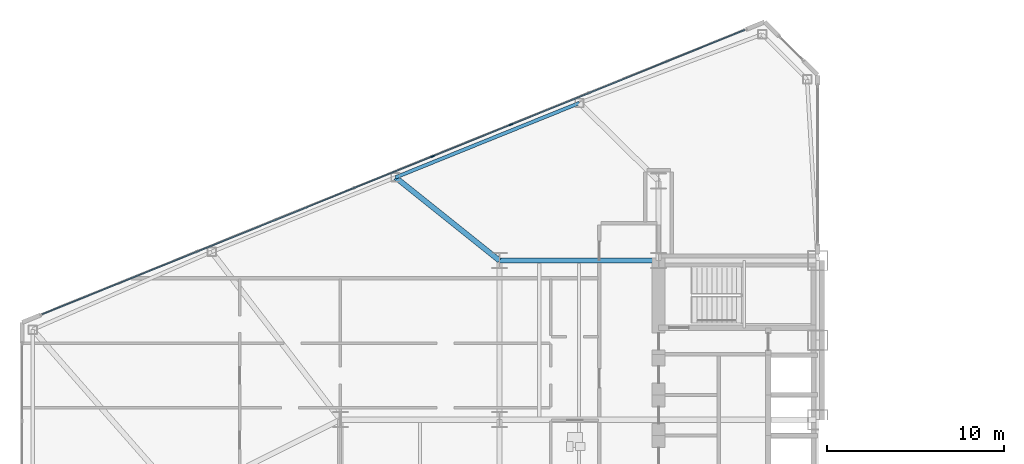
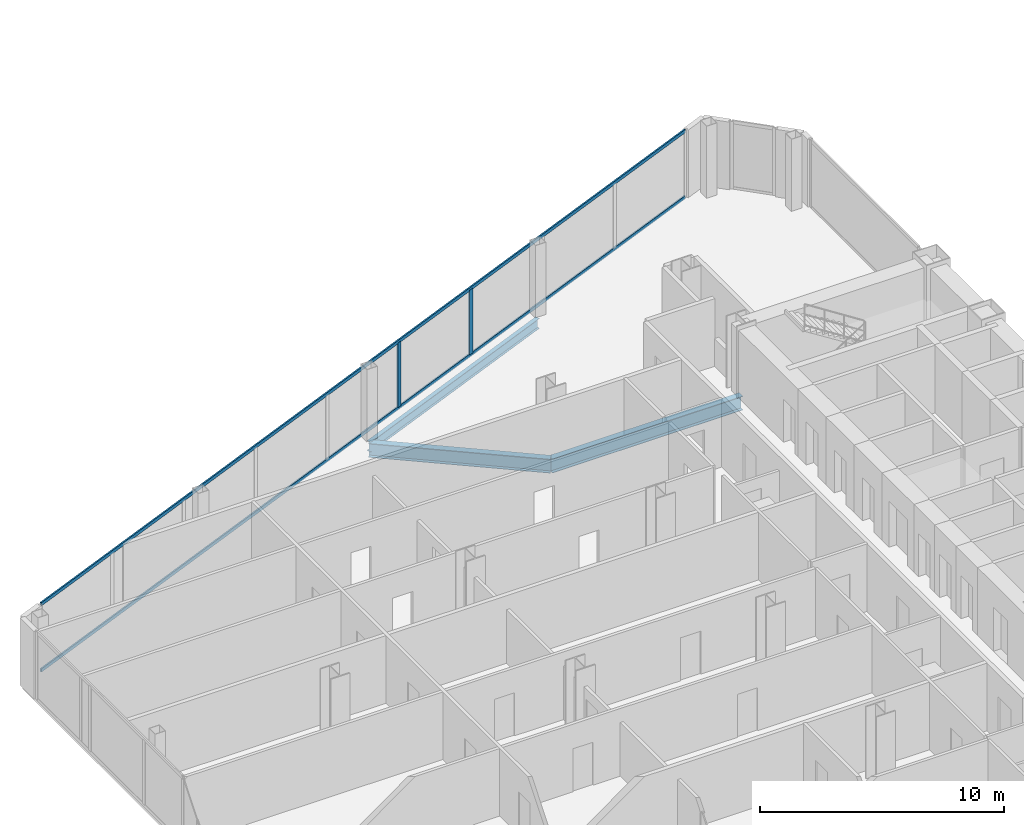
# One storey, part 7 of 25: 4 members, 3 beams, 1 element without a shape of its own.
"""IFC4 building model written with IfcOpenShell, lengths in metres."""

from ifc_helpers import new_model, si_unit, direction, frame, origin, origin_2d, place, context, subcontext, project, spatial, rectangle, i_section, extrude, source, transform, mapped, material, layer, layer_set, material_profile, profile_set, type_object, type_shapes, element, aggregate, save


model = new_model("IFC4")

# Units and contexts
model_context = context("Model", 3, precision=1e-05, world=origin(), true_north=direction((0.0, 1.0)))
body_context = subcontext(model_context, "Body", "Model", "MODEL_VIEW")
ifc_project = project(units=[si_unit("LENGTHUNIT", "METRE"), si_unit("AREAUNIT", "SQUARE_METRE"), si_unit("VOLUMEUNIT", "CUBIC_METRE"), si_unit("PLANEANGLEUNIT", "RADIAN"), si_unit("MASSUNIT", "GRAM", prefix="KILO")], contexts=[model_context])

# Site, building, storey
site_placement = place(None, origin())
site = spatial("IfcSite", under=ifc_project, at=site_placement, CompositionType="ELEMENT")
building_placement = place(site_placement, origin())
building = spatial("IfcBuilding", under=site, at=building_placement, Name="Seokmaru Belvedere", CompositionType="ELEMENT")
storey_placement = place(building_placement, frame((0.0, 0.0, 58.5)))
storey = spatial("IfcBuildingStorey", under=building, at=storey_placement, Name="L15", CompositionType="ELEMENT", Elevation=58.5)

# Beams
ifc_material_1 = material(Name="Steel SM355 (355 MPa)", Category="steel")
ifc_material_profile_1 = material_profile(ifc_material_1, i_section(OverallWidth=0.300048828125, OverallDepth=0.699951171875, WebThickness=0.012939453125, FlangeThickness=0.02392578125, at=origin_2d()), Name="H-700x300x13x24")
ifc_profile_set_1 = profile_set([ifc_material_profile_1], Name="Steel SM355 (355 MPa)")
beam_type_1 = type_object("IfcBeamType", Name="Primary Floor Girder H-700", PredefinedType="BEAM", material=ifc_profile_set_1)
shared_shape_1 = source(origin(), body_context, "Body", "SweptSolid", [
    extrude(i_section(OverallWidth=0.300048828125, OverallDepth=0.699951171875, WebThickness=0.012939453125, FlangeThickness=0.02392578125, at=origin_2d()), origin(), (0.0, 0.0, 1.0), 9.0),
])
beam_1_placement = place(storey_placement, frame((-45.5, 13.5, -0.570068359375), z_axis=(1.0, 0.0, 0.0), x_axis=(0.0, 1.0, 0.0)))
element("IfcBeam", 1, at=beam_1_placement, inside=storey, type_object=beam_type_1, Name="L15 W Wing Primary Girder 4", PredefinedType="BEAM", context=body_context, shape_type="MappedRepresentation", body=[
    mapped(shared_shape_1, transform((0.0, 0.0, 0.0), scale=1.0)),
])
ifc_material_profile_2 = material_profile(ifc_material_1, i_section(OverallWidth=0.199951171875, OverallDepth=0.5, WebThickness=0.010009765625, FlangeThickness=0.01611328125, at=origin_2d()), Name="H-500x200x10x16")
ifc_profile_set_2 = profile_set([ifc_material_profile_2], Name="Steel SM355 (355 MPa)")
beam_type_2 = type_object("IfcBeamType", Name="Perimeter Spandrel Beam H-500", PredefinedType="SPANDREL", material=ifc_profile_set_2)
shared_shape_2 = source(origin(), body_context, "Body", "SweptSolid", [
    extrude(i_section(OverallWidth=0.199951171875, OverallDepth=0.5, WebThickness=0.010009765625, FlangeThickness=0.01611328125, at=origin_2d()), origin(), (0.0, 0.0, 1.0), 11.220703125),
])
type_shapes(beam_type_2, [shared_shape_2])
beam_2_placement = place(storey_placement, frame((-40.977294921875, 22.4140625, -0.469970703125), z_axis=(-0.926944290816, -0.375198989503, 0.0), x_axis=(0.375198989503, -0.926944290816, 0.0)))
element("IfcBeam", 2, at=beam_2_placement, inside=storey, type_object=beam_type_2, Name="L15 W Faceted Flank Spandrel N-2", PredefinedType="SPANDREL", context=body_context, shape_type="MappedRepresentation", body=[
    mapped(shared_shape_2, transform((0.0, 0.0, 0.0), scale=1.0)),
])
shared_shape_3 = source(origin(), body_context, "Body", "SweptSolid", [
    extrude(i_section(OverallWidth=0.300048828125, OverallDepth=0.699951171875, WebThickness=0.012939453125, FlangeThickness=0.02392578125, at=origin_2d()), origin(), (0.0, 0.0, 1.0), 7.52880859375),
])
type_shapes(beam_type_1, [shared_shape_1, shared_shape_3])
beam_3_placement = place(storey_placement, frame((-51.378173828125, 18.2041015625, -0.570068359375), z_axis=(0.780767560736, -0.624821587418, 0.0), x_axis=(0.624821587418, 0.780767560736, 0.0)))
element("IfcBeam", 3, at=beam_3_placement, inside=storey, type_object=beam_type_1, Name="L15 W Flank Radial Floor Girder N-2", PredefinedType="BEAM", context=body_context, shape_type="MappedRepresentation", body=[
    mapped(shared_shape_3, transform((0.0, 0.0, 0.0), scale=1.0)),
])

# Curtain wall, members
ifc_material_2 = material(Name="Bronze Triple Insulating Glass", Category="glass")
ifc_layer = layer(ifc_material_2, 0.2099609375)
ifc_layer_set = layer_set([ifc_layer], Name="Bronze Triple Insulating Glass")
curtain_wall_type = type_object("IfcCurtainWallType", Name="Low-Rise Faceted Crystal Curtain Wall System CW-2", PredefinedType="NOTDEFINED", material=ifc_layer_set)
curtain_wall_placement = place(storey_placement, origin())
curtain_wall = element("IfcCurtainWall", 4, at=curtain_wall_placement, inside=storey, type_object=curtain_wall_type, Name="L15 Curtain Wall WF3", PredefinedType="NOTDEFINED")
ifc_material_3 = material(Name="Anodised Bronze Aluminium", Category="aluminium")
ifc_material_profile_3 = material_profile(ifc_material_3, rectangle(XDim=0.074951171875, YDim=0.2099609375, at=origin_2d()), Name="CW-M-75x210")
ifc_profile_set_3 = profile_set([ifc_material_profile_3], Name="Anodised Bronze Aluminium")
member_type_1 = type_object("IfcMemberType", Name="Bronze Unitised Mullion 75x210", PredefinedType="MULLION", material=ifc_profile_set_3)
shared_shape_4 = source(origin(), body_context, "Body", "SweptSolid", [
    extrude(rectangle(XDim=0.074951171875, YDim=0.2099609375, at=origin_2d()), origin(), (0.0, 0.0, 1.0), 3.239990234375),
])
type_shapes(member_type_1, [shared_shape_4])
member_1_placement = place(storey_placement, frame((-44.855224609375, 21.189453125, 0.070068359375), z_axis=(0.0, 0.0, 1.0), x_axis=(0.375192321888, -0.926946989637, 0.0)))
member_1 = element("IfcMember", 5, at=member_1_placement, type_object=member_type_1, Name="CW:L15:WF3 Mullion 4", PredefinedType="MULLION", context=body_context, shape_type="MappedRepresentation", body=[
    mapped(shared_shape_4, transform((0.0, 0.0, 0.0), scale=1.0)),
])
member_2_placement = place(storey_placement, frame((-49.28515625, 19.396484375, 0.070068359375), z_axis=(0.0, 0.0, 1.0), x_axis=(0.375192321888, -0.926946989637, 0.0)))
member_2 = element("IfcMember", 6, at=member_2_placement, type_object=member_type_1, Name="CW:L15:WF3 Mullion 5", PredefinedType="MULLION", context=body_context, shape_type="MappedRepresentation", body=[
    mapped(shared_shape_4, transform((0.0, 0.0, 0.0), scale=1.0)),
])
ifc_material_profile_4 = material_profile(ifc_material_3, rectangle(XDim=0.070068359375, YDim=0.1650390625, at=origin_2d()), Name="CW-T-70x165")
ifc_profile_set_4 = profile_set([ifc_material_profile_4], Name="Anodised Bronze Aluminium")
member_type_2 = type_object("IfcMemberType", Name="Bronze Unitised Transom 70x165", PredefinedType="USERDEFINED", material=ifc_profile_set_4)
shared_shape_5 = source(origin(), body_context, "Body", "SweptSolid", [
    extrude(rectangle(XDim=0.070068359375, YDim=0.1650390625, at=origin_2d()), origin(), (0.0, 0.0, 1.0), 42.860107421875),
])
type_shapes(member_type_2, [shared_shape_5])
member_3_placement = place(storey_placement, frame((-31.635498046875, 26.540283203125, 0.034912109375), z_axis=(-0.926948605599, -0.375188329481, 0.0), x_axis=(0.375188329481, -0.926948605599, 0.0)))
member_3 = element("IfcMember", 7, at=member_3_placement, type_object=member_type_2, Name="CW:L15:WF3 Continuous Transom 1", ObjectType="TRANSOM", PredefinedType="USERDEFINED", context=body_context, shape_type="MappedRepresentation", body=[
    mapped(shared_shape_5, transform((0.0, 0.0, 0.0), scale=1.0)),
])
member_4_placement = place(storey_placement, frame((-31.635498046875, 26.540283203125, 3.344970703125), z_axis=(-0.926948605599, -0.375188329481, 0.0), x_axis=(0.375188329481, -0.926948605599, 0.0)))
member_4 = element("IfcMember", 8, at=member_4_placement, type_object=member_type_2, Name="CW:L15:WF3 Continuous Transom 2", ObjectType="TRANSOM", PredefinedType="USERDEFINED", context=body_context, shape_type="MappedRepresentation", body=[
    mapped(shared_shape_5, transform((0.0, 0.0, 0.0), scale=1.0)),
])
aggregate(curtain_wall, [member_1, member_2, member_3, member_4])

save(model, "model.ifc")
